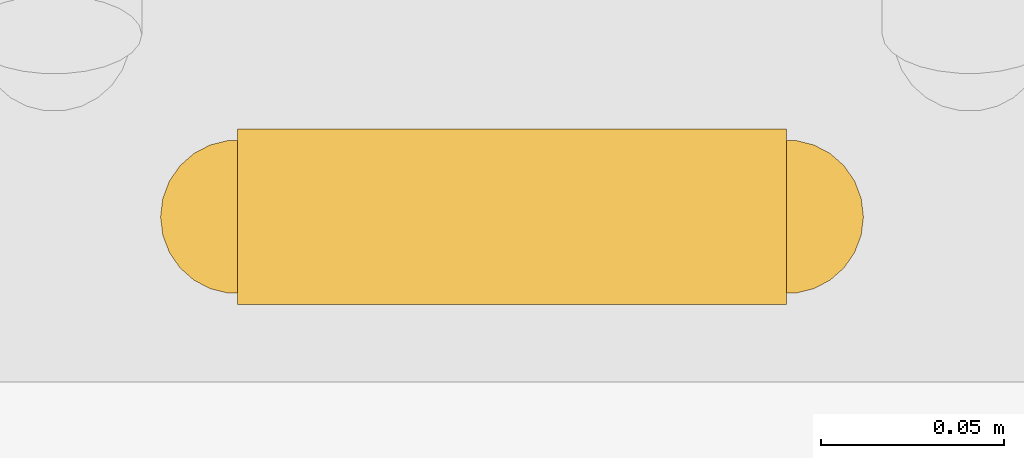
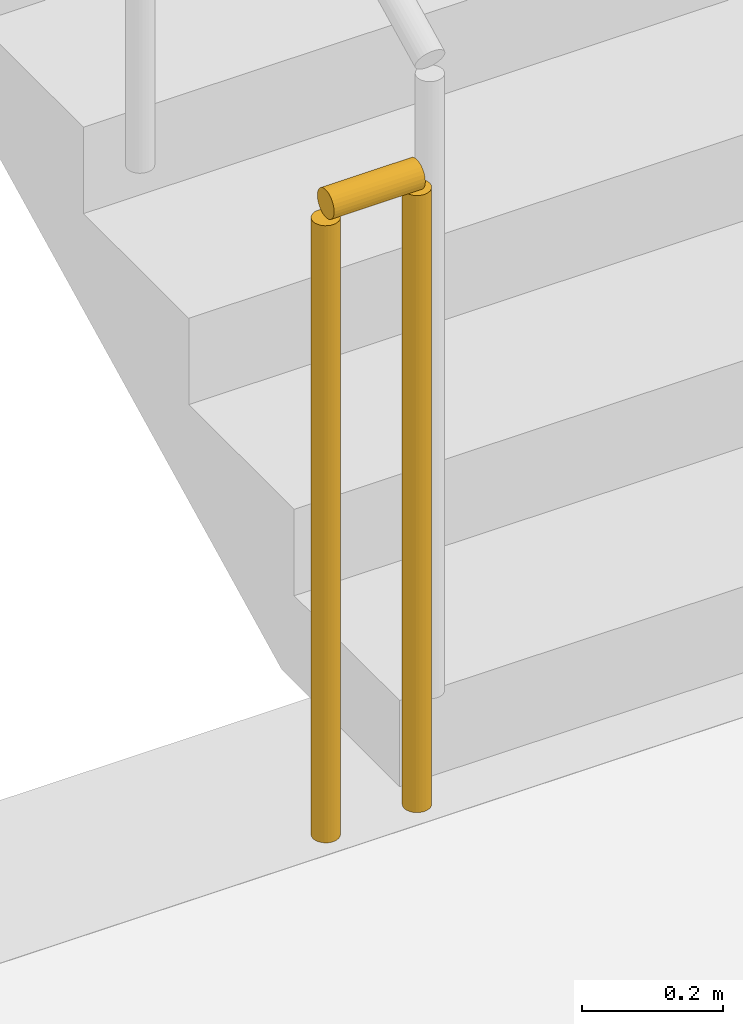
# One storey, part 18 of 20: 1 railing.
"""IFC4 building model written with IfcOpenShell, lengths in metres."""

from ifc_helpers import new_model, si_unit, direction, frame, origin, origin_2d, place, context, subcontext, project, spatial, circle, extrude, material, layer, layer_set, type_object, element, save


model = new_model("IFC4")

# Units and contexts
model_context = context("Model", 3, precision=1e-05, world=origin(), true_north=direction((0.0, 1.0)))
body_context = subcontext(model_context, "Body", "Model", "MODEL_VIEW")
ifc_project = project(units=[si_unit("LENGTHUNIT", "METRE"), si_unit("AREAUNIT", "SQUARE_METRE"), si_unit("VOLUMEUNIT", "CUBIC_METRE"), si_unit("PLANEANGLEUNIT", "RADIAN"), si_unit("MASSUNIT", "GRAM", prefix="KILO")], contexts=[model_context])

# Site, building, storey
site_placement = place(None, origin())
site = spatial("IfcSite", under=ifc_project, at=site_placement, CompositionType="ELEMENT")
building_placement = place(site_placement, origin())
building = spatial("IfcBuilding", under=site, at=building_placement, Name="Yukiwa Park Conservatory and Herbarium", CompositionType="ELEMENT")
storey_placement = place(building_placement, frame((0.0, 0.0, 28.199951171875)))
storey = spatial("IfcBuildingStorey", under=building, at=storey_placement, Name="L07", CompositionType="ELEMENT", Elevation=28.199951171875)

# Railing
ifc_material = material(Name="Steel Q235B", Category="steel")
ifc_layer = layer(ifc_material, 0.050048828125)
ifc_layer_set = layer_set([ifc_layer], Name="Steel Q235B")
railing_type = type_object("IfcRailingType", Name="RL-STAIR-GUARD-1120", PredefinedType="BALUSTRADE", material=ifc_layer_set)
railing_placement = place(storey_placement, frame((165.52001953125, 108.330078125, 0.0)))
element("IfcRailing", 1, at=railing_placement, inside=storey, type_object=railing_type, Name="L07 ST-T3 stair guard 4", PredefinedType="BALUSTRADE", context=body_context, shape_type="SweptSolid", body=[
    extrude(circle(Radius=0.02392578125, at=origin_2d()), frame((0.0, 0.0, 1.09619140625), z_axis=(-1.0, 0.0, 0.0), x_axis=(0.0, -1.0, 0.0)), (0.0, 0.0, 1.0), 0.14990234375),
    extrude(circle(Radius=0.02099609375, at=origin_2d()), origin(), (0.0, 0.0, 1.0), 1.072021484375),
    extrude(circle(Radius=0.02099609375, at=origin_2d()), frame((-0.14990234375, 0.0, 0.0)), (0.0, 0.0, 1.0), 1.072021484375),
])

save(model, "model.ifc")
